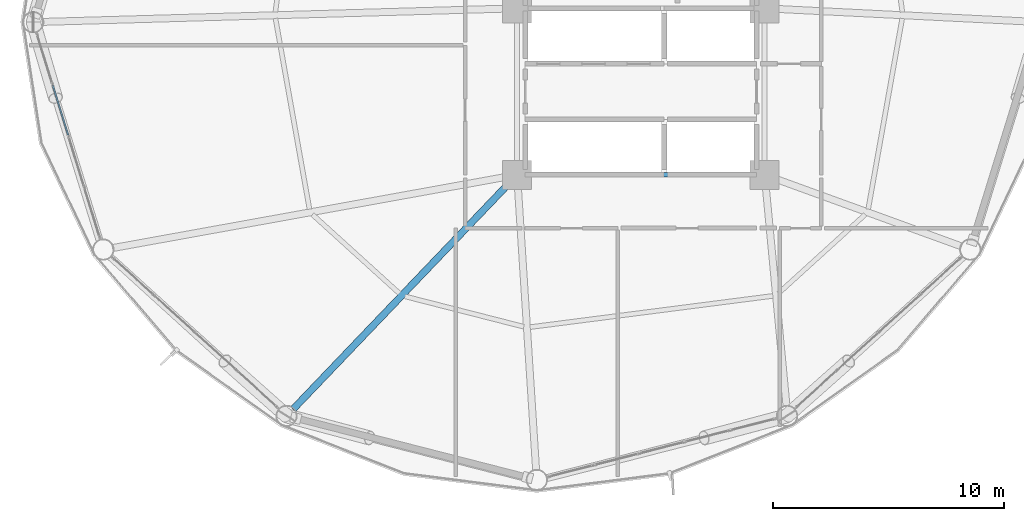
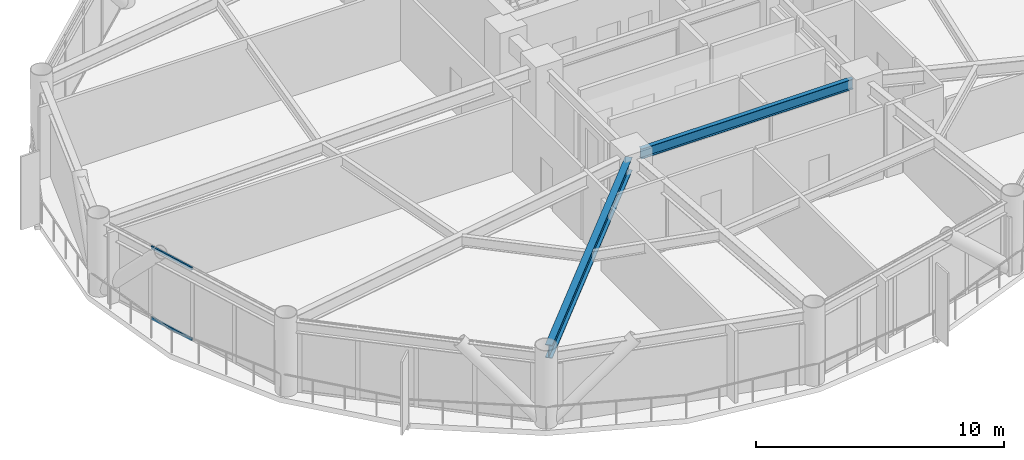
# One storey, part 7 of 25: 2 beams, 2 members, 1 element without a shape of its own.
"""IFC4 building model written with IfcOpenShell, lengths in metres."""

from ifc_helpers import new_model, si_unit, direction, frame, origin, origin_2d, place, context, subcontext, project, spatial, hollow_rectangle, i_section, extrude, material, layer, layer_set, material_profile, profile_set, type_object, element, aggregate, save


model = new_model("IFC4")

# Units and contexts
model_context = context("Model", 3, precision=1e-05, world=origin(), true_north=direction((0.0, 1.0)))
body_context = subcontext(model_context, "Body", "Model", "MODEL_VIEW")
ifc_project = project(units=[si_unit("LENGTHUNIT", "METRE"), si_unit("AREAUNIT", "SQUARE_METRE"), si_unit("VOLUMEUNIT", "CUBIC_METRE"), si_unit("PLANEANGLEUNIT", "RADIAN"), si_unit("MASSUNIT", "GRAM", prefix="KILO")], contexts=[model_context])

# Site, building, storey
site_placement = place(None, origin())
site = spatial("IfcSite", under=ifc_project, at=site_placement, CompositionType="ELEMENT")
building_placement = place(site_placement, origin())
building = spatial("IfcBuilding", under=site, at=building_placement, Name="Varnakorn Sky Granary", CompositionType="ELEMENT")
storey_placement = place(building_placement, frame((0.0, 0.0, 74.39990234375)))
storey = spatial("IfcBuildingStorey", under=building, at=storey_placement, Name="L18", CompositionType="ELEMENT", Elevation=74.39990234375)

# Beams
ifc_material_1 = material(Name="Steel S355JR", Category="steel")
ifc_material_profile_1 = material_profile(ifc_material_1, i_section(OverallWidth=0.300048828125, OverallDepth=0.64990234375, WebThickness=0.01611328125, FlangeThickness=0.031005859375, at=origin_2d()), Name="HE 650 B")
ifc_profile_set_1 = profile_set([ifc_material_profile_1], Name="Steel S355JR")
beam_type_1 = type_object("IfcBeamType", Name="BM-RAD-Z1", PredefinedType="BEAM", material=ifc_profile_set_1)
beam_1_placement = place(storey_placement, frame((-2.64013671875, -6.903564453125, 3.22509765625), z_axis=(-0.691067649311, -0.722790082995, 0.0), x_axis=(0.722790082995, -0.691067649311, 0.0)))
element("IfcBeam", 1, at=beam_1_placement, inside=storey, type_object=beam_type_1, Name="Radial Floor Girder RG09 L18", PredefinedType="BEAM", context=body_context, shape_type="SweptSolid", body=[
    extrude(i_section(OverallWidth=0.300048828125, OverallDepth=0.64990234375, WebThickness=0.01611328125, FlangeThickness=0.031005859375, at=origin_2d()), origin(), (0.0, 0.0, 1.0), 13.59130859375),
])
ifc_material_profile_2 = material_profile(ifc_material_1, i_section(OverallWidth=0.199951171875, OverallDepth=0.5, WebThickness=0.01025390625, FlangeThickness=0.01611328125, at=origin_2d()), Name="IPE 500")
ifc_profile_set_2 = profile_set([ifc_material_profile_2], Name="Steel S355JR")
beam_type_2 = type_object("IfcBeamType", Name="BM-SEC-Z1", PredefinedType="BEAM", material=ifc_profile_set_2)
beam_2_placement = place(storey_placement, frame((-1.929931640625, -6.60009765625, 3.300048828125), z_axis=(1.0, 0.0, 0.0), x_axis=(0.0, 1.0, 0.0)))
element("IfcBeam", 2, at=beam_2_placement, inside=storey, type_object=beam_type_2, Name="Core Spine Framing Beam 6 L18", PredefinedType="BEAM", context=body_context, shape_type="SweptSolid", body=[
    extrude(i_section(OverallWidth=0.199951171875, OverallDepth=0.5, WebThickness=0.01025390625, FlangeThickness=0.01611328125, at=origin_2d()), origin(), (0.0, 0.0, 1.0), 9.85986328125),
])

# Curtain wall, members
ifc_material_2 = material(Name="Anodised Bronze Aluminium Alloy 6063-T6", Category="aluminium")
ifc_layer = layer(ifc_material_2, 0.18994140625, Name="Anodised Bronze Aluminium Alloy 6063-T6")
ifc_layer_set = layer_set([ifc_layer], Name="Anodised Bronze Aluminium Alloy 6063-T6")
curtain_wall_type = type_object("IfcCurtainWallType", Name="CW-FRM-1", PredefinedType="USERDEFINED", material=ifc_layer_set)
curtain_wall_placement = place(storey_placement, origin())
curtain_wall = element("IfcCurtainWall", 3, at=curtain_wall_placement, inside=storey, type_object=curtain_wall_type, Name="Unitised Curtain Wall CW3 CW-L18-B07", ObjectType="CURTAIN WALL", PredefinedType="USERDEFINED")
ifc_material_profile_3 = material_profile(ifc_material_2, hollow_rectangle(XDim=0.070068359375, YDim=0.139892578125, WallThickness=0.00341796875, at=origin_2d()), Name="ALU TRAN 70x140")
ifc_profile_set_3 = profile_set([ifc_material_profile_3], Name="Anodised Bronze Aluminium Alloy 6063-T6")
member_type = type_object("IfcMemberType", Name="CW-FRM-1-TRAN", PredefinedType="USERDEFINED", material=ifc_profile_set_3)
member_1_placement = place(storey_placement, frame((-21.756103515625, -4.878173828125, 0.03515625), z_axis=(-0.294912232506, 0.955524345644, 0.0), x_axis=(-0.955524345644, -0.294912232506, 0.0)))
member_1 = element("IfcMember", 4, at=member_1_placement, type_object=member_type, Name="CW3 transom 3.1", ObjectType="TRANSOM", PredefinedType="USERDEFINED", context=body_context, shape_type="SweptSolid", body=[
    extrude(hollow_rectangle(XDim=0.070068359375, YDim=0.139892578125, WallThickness=0.00341796875, at=origin_2d()), origin(), (0.0, 0.0, 1.0), 2.24169921875),
])
member_2_placement = place(storey_placement, frame((-21.756103515625, -4.878173828125, 3.51513671875), z_axis=(-0.294912232506, 0.955524345644, 0.0), x_axis=(-0.955524345644, -0.294912232506, 0.0)))
member_2 = element("IfcMember", 5, at=member_2_placement, type_object=member_type, Name="CW3 transom 3.2", ObjectType="TRANSOM", PredefinedType="USERDEFINED", context=body_context, shape_type="SweptSolid", body=[
    extrude(hollow_rectangle(XDim=0.070068359375, YDim=0.139892578125, WallThickness=0.00341796875, at=origin_2d()), origin(), (0.0, 0.0, 1.0), 2.24169921875),
])
aggregate(curtain_wall, [member_1, member_2])

save(model, "model.ifc")
